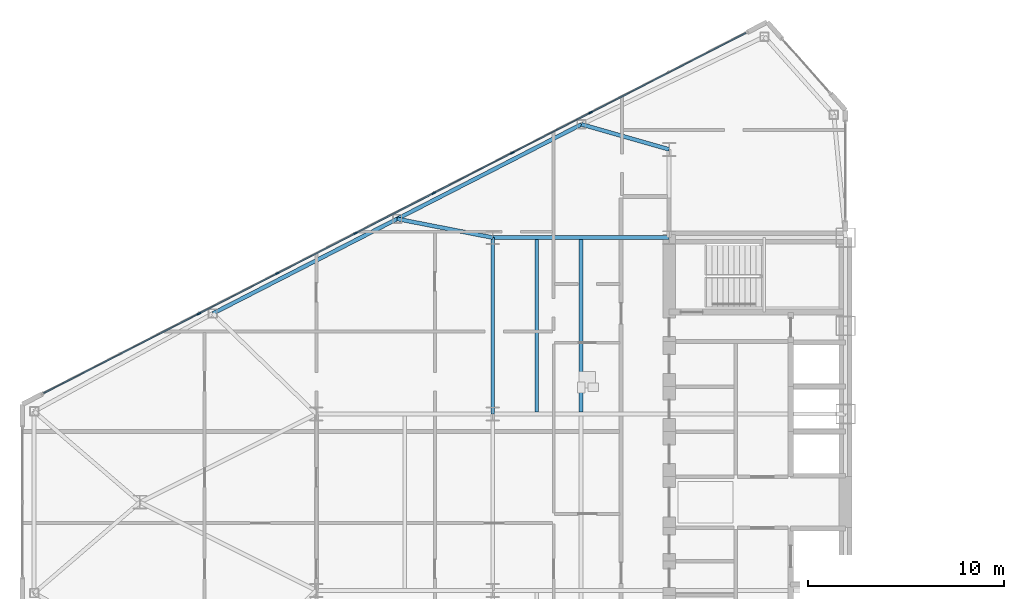
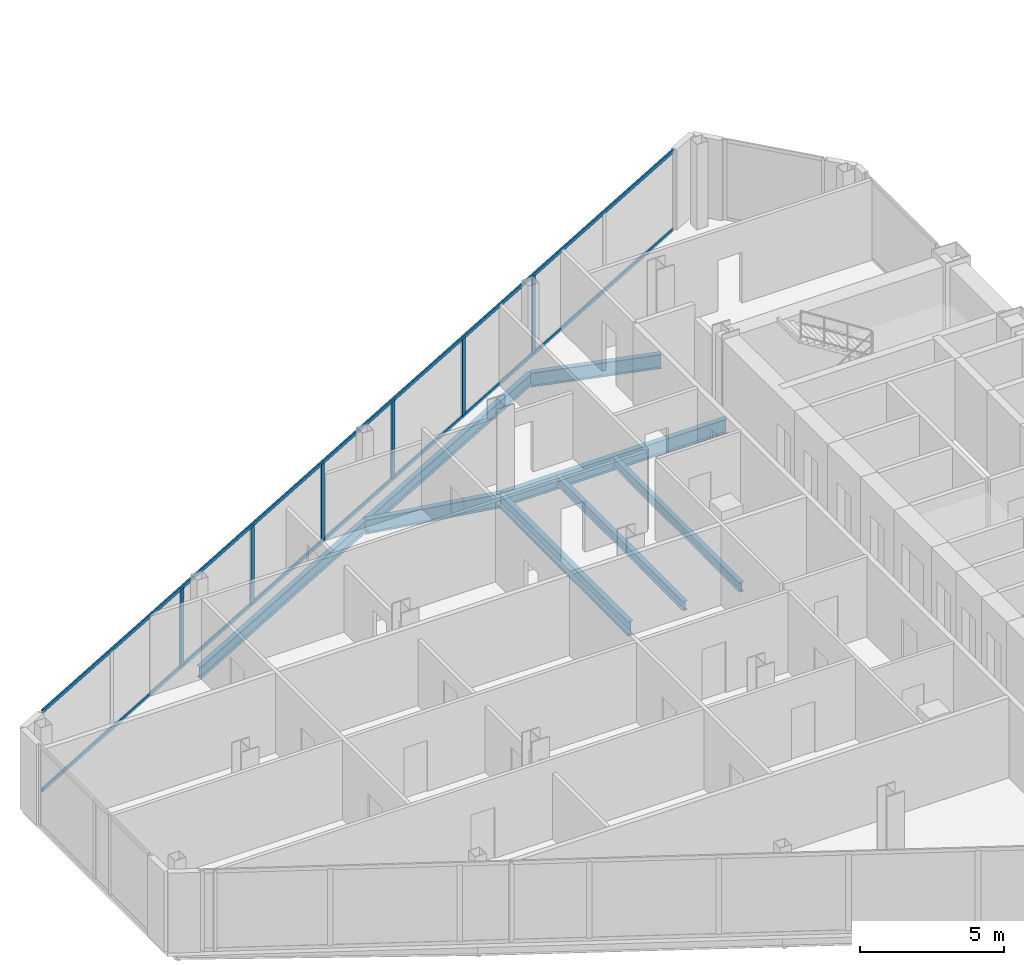
# One storey, part 6 of 24: 8 beams, 8 members, 1 element without a shape of its own.
"""IFC4 building model written with IfcOpenShell, lengths in metres."""

from ifc_helpers import new_model, si_unit, direction, frame, origin, origin_2d, place, context, subcontext, project, spatial, rectangle, i_section, extrude, source, transform, mapped, material, layer, layer_set, material_profile, profile_set, type_object, type_shapes, element, aggregate, save


model = new_model("IFC4")

# Units and contexts
model_context = context("Model", 3, precision=1e-05, world=origin(), true_north=direction((0.0, 1.0)))
body_context = subcontext(model_context, "Body", "Model", "MODEL_VIEW")
ifc_project = project(units=[si_unit("LENGTHUNIT", "METRE"), si_unit("AREAUNIT", "SQUARE_METRE"), si_unit("VOLUMEUNIT", "CUBIC_METRE"), si_unit("PLANEANGLEUNIT", "RADIAN"), si_unit("MASSUNIT", "GRAM", prefix="KILO")], contexts=[model_context])

# Site, building, storey
site_placement = place(None, origin())
site = spatial("IfcSite", under=ifc_project, at=site_placement, CompositionType="ELEMENT")
building_placement = place(site_placement, origin())
building = spatial("IfcBuilding", under=site, at=building_placement, Name="Seokmaru Belvedere", CompositionType="ELEMENT")
storey_placement = place(building_placement, frame((0.0, 0.0, 124.800048828125)))
storey = spatial("IfcBuildingStorey", under=building, at=storey_placement, Name="L33", CompositionType="ELEMENT", Elevation=124.800048828125)

# Beams
ifc_material_1 = material(Name="Steel SM355 (355 MPa)", Category="steel")
ifc_material_profile_1 = material_profile(ifc_material_1, i_section(OverallWidth=0.199951171875, OverallDepth=0.60009765625, WebThickness=0.010986328125, FlangeThickness=0.01708984375, at=origin_2d()), Name="H-600x200x11x17")
ifc_profile_set_1 = profile_set([ifc_material_profile_1], Name="Steel SM355 (355 MPa)")
beam_type_1 = type_object("IfcBeamType", Name="Primary Floor Girder H-600", PredefinedType="BEAM", material=ifc_profile_set_1)
shared_shape_1 = source(origin(), body_context, "Body", "SweptSolid", [
    extrude(i_section(OverallWidth=0.199951171875, OverallDepth=0.60009765625, WebThickness=0.010986328125, FlangeThickness=0.01708984375, at=origin_2d()), origin(), (0.0, 0.0, 1.0), 9.0),
])
for number, where, z_axis, x_axis, name in (
    (1, (-45.5, 4.5, -0.52001953125), (0.0, 1.0, 0.0), (-1.0, 0.0, 0.0), "L33 W Interior Grid Girder 3"),
    (2, (-45.5, 13.5, -0.52001953125), (1.0, 0.0, 0.0), (0.0, 1.0, 0.0), "L33 W Wing Primary Girder 4"),
):
    element("IfcBeam", number, at=place(storey_placement, frame(where, z_axis=z_axis, x_axis=x_axis)), inside=storey, type_object=beam_type_1, Name=name, PredefinedType="BEAM", context=body_context, shape_type="MappedRepresentation", body=[
        mapped(shared_shape_1, transform((0.0, 0.0, 0.0), scale=1.0)),
    ])
ifc_material_profile_2 = material_profile(ifc_material_1, i_section(OverallWidth=0.18505859375, OverallDepth=0.389892578125, WebThickness=0.008056640625, FlangeThickness=0.011962890625, at=origin_2d()), Name="H-390x185x8x12")
ifc_profile_set_2 = profile_set([ifc_material_profile_2], Name="Steel SM355 (355 MPa)")
beam_type_2 = type_object("IfcBeamType", Name="Secondary Floor Joist H-350", PredefinedType="JOIST", material=ifc_profile_set_2)
shared_shape_2 = source(origin(), body_context, "Body", "SweptSolid", [
    extrude(i_section(OverallWidth=0.18505859375, OverallDepth=0.389892578125, WebThickness=0.008056640625, FlangeThickness=0.011962890625, at=origin_2d()), origin(), (0.0, 0.0, 1.0), 8.7900390625),
])
type_shapes(beam_type_2, [shared_shape_2])
for number, where, z_axis, x_axis, name in (
    (3, (-43.25, 4.60498046875, -0.4150390625), (0.0, 1.0, 0.0), (-1.0, 0.0, 0.0), "L33 W Wing Inner Secondary Joist 2"),
    (4, (-41.0, 4.60498046875, -0.4150390625), (0.0, 1.0, 0.0), (-1.0, 0.0, 0.0), "L33 W Secondary Floor Joist 3"),
):
    element("IfcBeam", number, at=place(storey_placement, frame(where, z_axis=z_axis, x_axis=x_axis)), inside=storey, type_object=beam_type_2, Name=name, PredefinedType="JOIST", context=body_context, shape_type="MappedRepresentation", body=[
        mapped(shared_shape_2, transform((0.0, 0.0, 0.0), scale=1.0)),
    ])
ifc_material_profile_3 = material_profile(ifc_material_1, i_section(OverallWidth=0.199951171875, OverallDepth=0.5, WebThickness=0.010009765625, FlangeThickness=0.01611328125, at=origin_2d()), Name="H-500x200x10x16")
ifc_profile_set_3 = profile_set([ifc_material_profile_3], Name="Steel SM355 (355 MPa)")
beam_type_3 = type_object("IfcBeamType", Name="Perimeter Spandrel Beam H-500", PredefinedType="SPANDREL", material=ifc_profile_set_3)
shared_shape_3 = source(origin(), body_context, "Body", "SweptSolid", [
    extrude(i_section(OverallWidth=0.199951171875, OverallDepth=0.5, WebThickness=0.010009765625, FlangeThickness=0.01611328125, at=origin_2d()), origin(), (0.0, 0.0, 1.0), 10.56689453125),
])
type_shapes(beam_type_3, [shared_shape_3])
for number, where, z_axis, x_axis, name in (
    (5, (-40.975830078125, 19.277587890625, -0.469970703125), (-0.889701972758, -0.45654178305, 0.0), (0.45654178305, -0.889701972758, 0.0), "L33 W Faceted Flank Spandrel N-2"),
    (6, (-50.377197265625, 14.453369140625, -0.469970703125), (-0.889692588006, -0.456560071455, 0.0), (0.456560071455, -0.889692588006, 0.0), "L33 W Faceted Flank Spandrel N-3"),
):
    element("IfcBeam", number, at=place(storey_placement, frame(where, z_axis=z_axis, x_axis=x_axis)), inside=storey, type_object=beam_type_3, Name=name, PredefinedType="SPANDREL", context=body_context, shape_type="MappedRepresentation", body=[
        mapped(shared_shape_3, transform((0.0, 0.0, 0.0), scale=1.0)),
    ])
shared_shape_4 = source(origin(), body_context, "Body", "SweptSolid", [
    extrude(i_section(OverallWidth=0.199951171875, OverallDepth=0.60009765625, WebThickness=0.010986328125, FlangeThickness=0.01708984375, at=origin_2d()), origin(), (0.0, 0.0, 1.0), 4.654541015625),
])
beam_1_placement = place(storey_placement, frame((-40.975830078125, 19.277587890625, -0.52001953125), z_axis=(0.961593192625, -0.274478654721, 0.0), x_axis=(0.274478654721, 0.961593192625, 0.0)))
element("IfcBeam", 7, at=beam_1_placement, inside=storey, type_object=beam_type_1, Name="L33 W Flank Radial Floor Girder N-1", PredefinedType="BEAM", context=body_context, shape_type="MappedRepresentation", body=[
    mapped(shared_shape_4, transform((0.0, 0.0, 0.0), scale=1.0)),
])
shared_shape_5 = source(origin(), body_context, "Body", "SweptSolid", [
    extrude(i_section(OverallWidth=0.199951171875, OverallDepth=0.60009765625, WebThickness=0.010986328125, FlangeThickness=0.01708984375, at=origin_2d()), origin(), (0.0, 0.0, 1.0), 4.969482421875),
])
type_shapes(beam_type_1, [shared_shape_1, shared_shape_4, shared_shape_5])
beam_2_placement = place(storey_placement, frame((-50.377197265625, 14.453369140625, -0.52001953125), z_axis=(0.98142544456, -0.19184393858, 0.0), x_axis=(0.19184393858, 0.98142544456, 0.0)))
element("IfcBeam", 8, at=beam_2_placement, inside=storey, type_object=beam_type_1, Name="L33 W Flank Radial Floor Girder N-2", PredefinedType="BEAM", context=body_context, shape_type="MappedRepresentation", body=[
    mapped(shared_shape_5, transform((0.0, 0.0, 0.0), scale=1.0)),
])

# Curtain wall, members
ifc_material_2 = material(Name="Bronze Triple Insulating Glass", Category="glass")
ifc_layer = layer(ifc_material_2, 0.195068359375)
ifc_layer_set = layer_set([ifc_layer], Name="Bronze Triple Insulating Glass")
curtain_wall_type = type_object("IfcCurtainWallType", Name="Sky-Lobby and Mid-Rise Curtain Wall System CW-4", PredefinedType="NOTDEFINED", material=ifc_layer_set)
curtain_wall_placement = place(storey_placement, origin())
curtain_wall = element("IfcCurtainWall", 9, at=curtain_wall_placement, inside=storey, type_object=curtain_wall_type, Name="L33 Curtain Wall WF3", PredefinedType="NOTDEFINED")
ifc_material_3 = material(Name="Anodised Bronze Aluminium", Category="aluminium")
ifc_material_profile_4 = material_profile(ifc_material_3, rectangle(XDim=0.070068359375, YDim=0.195068359375, at=origin_2d()), Name="CW-M-70x195")
ifc_profile_set_4 = profile_set([ifc_material_profile_4], Name="Anodised Bronze Aluminium")
member_type_1 = type_object("IfcMemberType", Name="Bronze Unitised Mullion 70x195", PredefinedType="MULLION", material=ifc_profile_set_4)
shared_shape_6 = source(origin(), body_context, "Body", "SweptSolid", [
    extrude(rectangle(XDim=0.070068359375, YDim=0.195068359375, at=origin_2d()), origin(), (0.0, 0.0, 1.0), 3.25),
])
type_shapes(member_type_1, [shared_shape_6])
member_1_placement = place(storey_placement, frame((-40.5126953125, 19.875, 0.06494140625), z_axis=(0.0, 0.0, 1.0), x_axis=(0.456554528263, -0.889695432562, 0.0)))
member_1 = element("IfcMember", 10, at=member_1_placement, type_object=member_type_1, Name="CW:L33:WF3 Mullion 3", PredefinedType="MULLION", context=body_context, shape_type="MappedRepresentation", body=[
    mapped(shared_shape_6, transform((0.0, 0.0, 0.0), scale=1.0)),
])
member_2_placement = place(storey_placement, frame((-44.5078125, 17.824951171875, 0.06494140625), z_axis=(0.0, 0.0, 1.0), x_axis=(0.456554528263, -0.889695432562, 0.0)))
member_2 = element("IfcMember", 11, at=member_2_placement, type_object=member_type_1, Name="CW:L33:WF3 Mullion 4", PredefinedType="MULLION", context=body_context, shape_type="MappedRepresentation", body=[
    mapped(shared_shape_6, transform((0.0, 0.0, 0.0), scale=1.0)),
])
member_3_placement = place(storey_placement, frame((-48.502685546875, 15.77490234375, 0.06494140625), z_axis=(0.0, 0.0, 1.0), x_axis=(0.456554528263, -0.889695432562, 0.0)))
member_3 = element("IfcMember", 12, at=member_3_placement, type_object=member_type_1, Name="CW:L33:WF3 Mullion 5", PredefinedType="MULLION", context=body_context, shape_type="MappedRepresentation", body=[
    mapped(shared_shape_6, transform((0.0, 0.0, 0.0), scale=1.0)),
])
member_4_placement = place(storey_placement, frame((-52.497314453125, 13.72509765625, 0.06494140625), z_axis=(0.0, 0.0, 1.0), x_axis=(0.456554528263, -0.889695432562, 0.0)))
member_4 = element("IfcMember", 13, at=member_4_placement, type_object=member_type_1, Name="CW:L33:WF3 Mullion 6", PredefinedType="MULLION", context=body_context, shape_type="MappedRepresentation", body=[
    mapped(shared_shape_6, transform((0.0, 0.0, 0.0), scale=1.0)),
])
member_5_placement = place(storey_placement, frame((-56.4921875, 11.675048828125, 0.06494140625), z_axis=(0.0, 0.0, 1.0), x_axis=(0.456554528263, -0.889695432562, 0.0)))
member_5 = element("IfcMember", 14, at=member_5_placement, type_object=member_type_1, Name="CW:L33:WF3 Mullion 7", PredefinedType="MULLION", context=body_context, shape_type="MappedRepresentation", body=[
    mapped(shared_shape_6, transform((0.0, 0.0, 0.0), scale=1.0)),
])
member_6_placement = place(storey_placement, frame((-60.4873046875, 9.625, 0.06494140625), z_axis=(0.0, 0.0, 1.0), x_axis=(0.456554528263, -0.889695432562, 0.0)))
member_6 = element("IfcMember", 15, at=member_6_placement, type_object=member_type_1, Name="CW:L33:WF3 Mullion 8", PredefinedType="MULLION", context=body_context, shape_type="MappedRepresentation", body=[
    mapped(shared_shape_6, transform((0.0, 0.0, 0.0), scale=1.0)),
])
ifc_material_profile_5 = material_profile(ifc_material_3, rectangle(XDim=0.06494140625, YDim=0.14990234375, at=origin_2d()), Name="CW-T-65x150")
ifc_profile_set_5 = profile_set([ifc_material_profile_5], Name="Anodised Bronze Aluminium")
member_type_2 = type_object("IfcMemberType", Name="Bronze Unitised Transom 65x150", PredefinedType="USERDEFINED", material=ifc_profile_set_5)
shared_shape_7 = source(origin(), body_context, "Body", "SweptSolid", [
    extrude(rectangle(XDim=0.06494140625, YDim=0.14990234375, at=origin_2d()), origin(), (0.0, 0.0, 1.0), 40.271240234375),
])
type_shapes(member_type_2, [shared_shape_7])
member_7_placement = place(storey_placement, frame((-32.58544921875, 23.943115234375, 0.032470703125), z_axis=(-0.889693089107, -0.456559094965, 0.0), x_axis=(0.456559094965, -0.889693089107, 0.0)))
member_7 = element("IfcMember", 16, at=member_7_placement, type_object=member_type_2, Name="CW:L33:WF3 Continuous Transom 1", ObjectType="TRANSOM", PredefinedType="USERDEFINED", context=body_context, shape_type="MappedRepresentation", body=[
    mapped(shared_shape_7, transform((0.0, 0.0, 0.0), scale=1.0)),
])
member_8_placement = place(storey_placement, frame((-32.58544921875, 23.943115234375, 3.347412109375), z_axis=(-0.889693089107, -0.456559094965, 0.0), x_axis=(0.456559094965, -0.889693089107, 0.0)))
member_8 = element("IfcMember", 17, at=member_8_placement, type_object=member_type_2, Name="CW:L33:WF3 Continuous Transom 2", ObjectType="TRANSOM", PredefinedType="USERDEFINED", context=body_context, shape_type="MappedRepresentation", body=[
    mapped(shared_shape_7, transform((0.0, 0.0, 0.0), scale=1.0)),
])
aggregate(curtain_wall, [member_1, member_2, member_3, member_4, member_5, member_6, member_7, member_8])

save(model, "model.ifc")
